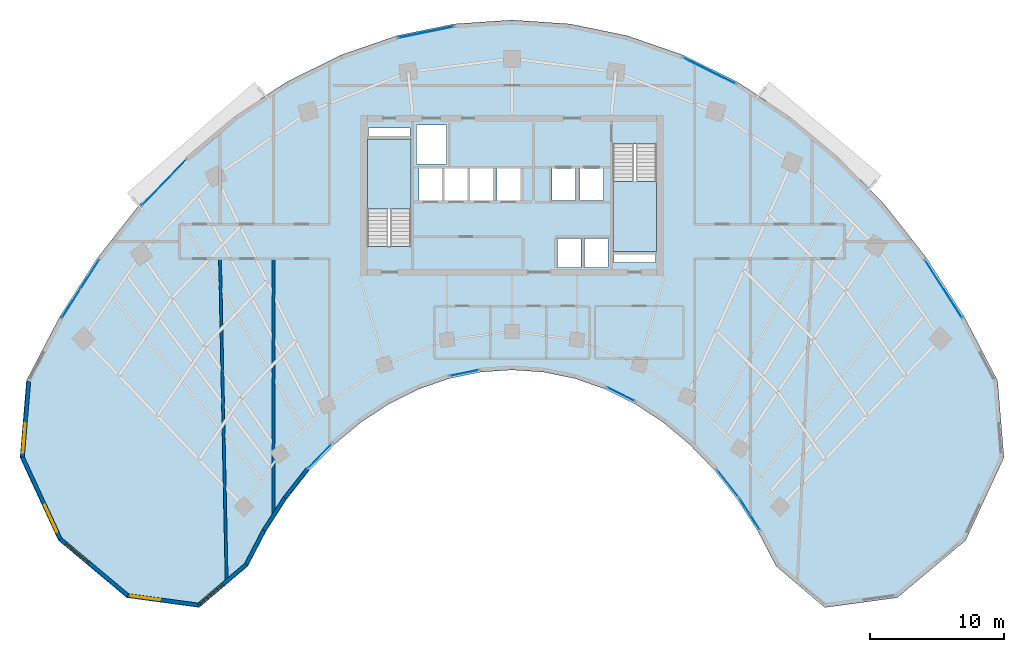
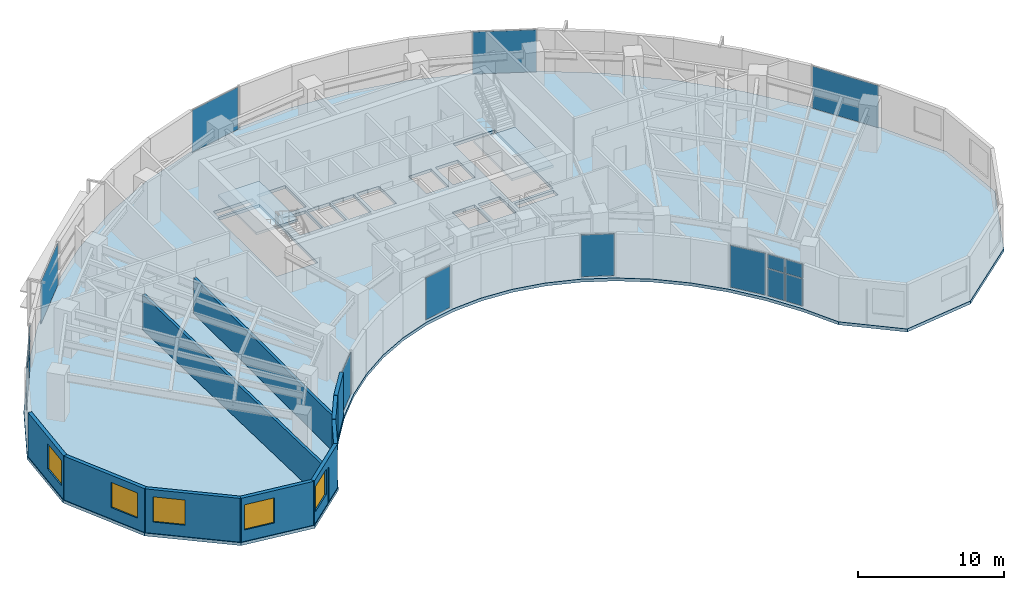
# One storey, part 7 of 14: 16 plates, 10 walls, 5 windows, 3 slabs, 5 openings, 12 elements without a shape of their own.
"""IFC4 building model written with IfcOpenShell, lengths in metres."""

from ifc_helpers import new_model, si_unit, direction, frame, frame_2d, origin, origin_2d, place, context, subcontext, project, spatial, polyline, rectangle, outline, extrude, source, transform, mapped, material, layer, layer_set, type_object, type_shapes, element, fill, aggregate, save


model = new_model("IFC4")

# Units and contexts
model_context = context("Model", 3, precision=1e-05, world=origin(), true_north=direction((0.0, 1.0)))
body_context = subcontext(model_context, "Body", "Model", "MODEL_VIEW")
ifc_project = project(units=[si_unit("LENGTHUNIT", "METRE"), si_unit("AREAUNIT", "SQUARE_METRE"), si_unit("VOLUMEUNIT", "CUBIC_METRE"), si_unit("PLANEANGLEUNIT", "RADIAN"), si_unit("MASSUNIT", "GRAM", prefix="KILO")], contexts=[model_context])

# Site, building, storey
site_placement = place(None, origin())
site = spatial("IfcSite", under=ifc_project, at=site_placement, CompositionType="ELEMENT")
building_placement = place(site_placement, origin())
building = spatial("IfcBuilding", under=site, at=building_placement, Name="Breltana Convention Tower", CompositionType="ELEMENT")
storey_placement = place(building_placement, frame((0.0, 0.0, 131.10009765625)))
storey = spatial("IfcBuildingStorey", under=building, at=storey_placement, Name="L31", CompositionType="ELEMENT", Elevation=131.10009765625)

# Slab
ifc_material_1 = material(Name="Concrete C40/50", Category="concrete")
ifc_layer_1 = layer(ifc_material_1, 0.25, Name="Concrete C40/50")
ifc_layer_set_1 = layer_set([ifc_layer_1], Name="Concrete C40/50")
slab_type_1 = type_object("IfcSlabType", Name="SL-OFF-250", PredefinedType="FLOOR", material=ifc_layer_set_1)
slab_1_placement = place(storey_placement, frame((0.0, 0.0, -0.25)))
element("IfcSlab", 1, at=slab_1_placement, inside=storey, type_object=slab_type_1, Name="L31 Suspended Structural Floor Slab", PredefinedType="FLOOR", context=body_context, shape_type="SweptSolid", body=[
    extrude(outline(polyline([(84.254150390625, 52.3564453125), (81.779052734375, 57.1103515625), (78.958251953125, 61.5048828125), (75.820556640625, 65.494873046875), (72.39794921875, 69.03955078125), (68.7255859375, 72.1025390625), (64.841064453125, 74.652587890625), (60.783935546875, 76.663818359375), (56.59619140625, 78.114990234375), (52.3203125, 78.99169921875), (48.0, 79.284912109375), (43.6796875, 78.99169921875), (39.40380859375, 78.114990234375), (35.216064453125, 76.663818359375), (31.158935546875, 74.652587890625), (27.2744140625, 72.1025390625), (23.60205078125, 69.03955078125), (20.179443359375, 65.494873046875), (17.041748046875, 61.5048828125), (14.220947265625, 57.1103515625), (11.745849609375, 52.3564453125), (11.266357421875, 46.619384765625), (14.128173828125, 40.42919921875), (19.23828125, 36.150146484375), (24.64501953125, 35.4169921875), (28.282958984375, 38.509521484375), (29.62890625, 41.09521484375), (31.1630859375, 43.485107421875), (32.869384765625, 45.655029296875), (34.73095703125, 47.5830078125), (36.728271484375, 49.248779296875), (38.8408203125, 50.6357421875), (41.04736328125, 51.7294921875), (43.324951171875, 52.518798828125), (45.650390625, 52.99560546875), (48.0, 53.155029296875), (50.349609375, 52.99560546875), (52.675048828125, 52.518798828125), (54.95263671875, 51.7294921875), (57.1591796875, 50.6357421875), (59.271728515625, 49.248779296875), (61.26904296875, 47.5830078125), (63.130615234375, 45.655029296875), (64.8369140625, 43.485107421875), (66.37109375, 41.09521484375), (67.717041015625, 38.509521484375), (71.35498046875, 35.4169921875), (76.76171875, 36.150146484375), (81.871826171875, 40.42919921875), (84.733642578125, 46.619384765625), (84.254150390625, 52.3564453125)]), holes=[polyline([(37.199951171875, 62.385009765625), (40.469970703125, 62.385009765625), (40.469970703125, 70.39990234375), (37.199951171875, 70.39990234375), (37.199951171875, 62.385009765625)]), polyline([(55.530029296875, 62.0), (58.800048828125, 62.0), (58.800048828125, 70.014892578125), (55.530029296875, 70.014892578125), (55.530029296875, 62.0)]), polyline([(51.39990234375, 60.800048828125), (53.159912109375, 60.800048828125), (53.159912109375, 62.97998046875), (51.39990234375, 62.97998046875), (51.39990234375, 60.800048828125)]), polyline([(53.39990234375, 60.800048828125), (55.159912109375, 60.800048828125), (55.159912109375, 62.97998046875), (53.39990234375, 62.97998046875), (53.39990234375, 60.800048828125)]), polyline([(41.0400390625, 65.820068359375), (42.800048828125, 65.820068359375), (42.800048828125, 68.179931640625), (41.0400390625, 68.179931640625), (41.0400390625, 65.820068359375)]), polyline([(42.93994140625, 65.820068359375), (44.699951171875, 65.820068359375), (44.699951171875, 68.179931640625), (42.93994140625, 68.179931640625), (42.93994140625, 65.820068359375)]), polyline([(44.8701171875, 65.820068359375), (46.6298828125, 65.820068359375), (46.6298828125, 68.179931640625), (44.8701171875, 68.179931640625), (44.8701171875, 65.820068359375)]), polyline([(46.8701171875, 65.820068359375), (48.6298828125, 65.820068359375), (48.6298828125, 68.179931640625), (46.8701171875, 68.179931640625), (46.8701171875, 65.820068359375)]), polyline([(50.969970703125, 65.800048828125), (52.72998046875, 65.800048828125), (52.72998046875, 68.179931640625), (50.969970703125, 68.179931640625), (50.969970703125, 65.800048828125)]), polyline([(53.070068359375, 65.800048828125), (54.830078125, 65.800048828125), (54.830078125, 68.179931640625), (53.070068359375, 68.179931640625), (53.070068359375, 65.800048828125)]), polyline([(40.8798828125, 68.550048828125), (43.1201171875, 68.550048828125), (43.1201171875, 71.449951171875), (40.8798828125, 71.449951171875), (40.8798828125, 68.550048828125)]), polyline([(37.300048828125, 70.60009765625), (40.3798828125, 70.60009765625), (40.3798828125, 71.219970703125), (37.300048828125, 71.219970703125), (37.300048828125, 70.60009765625)]), polyline([(55.6201171875, 61.179931640625), (58.699951171875, 61.179931640625), (58.699951171875, 61.800048828125), (55.6201171875, 61.800048828125), (55.6201171875, 61.179931640625)])]), origin(), (0.0, 0.0, 1.0), 0.25),
])

# Stair, slab
stair_type = type_object("IfcStairType", Name="ST-DOG-1560-R177", PredefinedType="HALF_TURN_STAIR", material=ifc_material_1)
stair_1_placement = place(storey_placement, origin())
stair_1 = element("IfcStair", 2, at=stair_1_placement, inside=storey, type_object=stair_type, Name="L31 Protected Core Exit Stair ST-1", PredefinedType="HALF_TURN_STAIR")
ifc_layer_2 = layer(ifc_material_1, 0.199951171875, Name="Concrete C40/50")
ifc_layer_set_2 = layer_set([ifc_layer_2], Name="Concrete C40/50")
slab_type_2 = type_object("IfcSlabType", Name="SL-STAIR-LANDING-200", PredefinedType="LANDING", material=ifc_layer_set_2)
slab_2_placement = place(storey_placement, frame((0.0, 0.0, 1.75)))
slab_2 = element("IfcSlab", 3, at=slab_2_placement, type_object=slab_type_2, Name="ST-1 landing 1", PredefinedType="LANDING", context=body_context, shape_type="SweptSolid", body=[
    extrude(outline(polyline([(40.469970703125, 65.159912109375), (40.469970703125, 70.39990234375), (37.199951171875, 70.39990234375), (37.199951171875, 65.159912109375), (40.469970703125, 65.159912109375)])), origin(), (0.0, 0.0, 1.0), 0.199951171875),
])
aggregate(stair_1, [slab_2])

stair_2_placement = place(storey_placement, origin())
stair_2 = element("IfcStair", 4, at=stair_2_placement, inside=storey, type_object=stair_type, Name="L31 Protected Core Exit Stair ST-2", PredefinedType="HALF_TURN_STAIR")
slab_3_placement = place(storey_placement, frame((0.0, 0.0, 1.75)))
slab_3 = element("IfcSlab", 5, at=slab_3_placement, type_object=slab_type_2, Name="ST-2 landing 1", PredefinedType="LANDING", context=body_context, shape_type="SweptSolid", body=[
    extrude(outline(polyline([(55.530029296875, 67.239990234375), (55.530029296875, 62.0), (58.800048828125, 62.0), (58.800048828125, 67.239990234375), (55.530029296875, 67.239990234375)])), origin(), (0.0, 0.0, 1.0), 0.199951171875),
])
aggregate(stair_2, [slab_3])

# Curtain wall, plates
ifc_material_2 = material(Name="Aluminium Anodised Bronze Frame", Category="aluminium")
ifc_layer_3 = layer(ifc_material_2, 0.18994140625, Name="Aluminium Anodised Bronze Frame")
ifc_layer_set_3 = layer_set([ifc_layer_3], Name="Aluminium Anodised Bronze Frame")
curtain_wall_type_1 = type_object("IfcCurtainWallType", Name="CW-SYS-1", PredefinedType="NOTDEFINED", material=ifc_layer_set_3)
curtain_wall_1_placement = place(storey_placement, origin())
curtain_wall_1 = element("IfcCurtainWall", 6, at=curtain_wall_1_placement, inside=storey, type_object=curtain_wall_type_1, Name="L31 inner south-court glazing 1", PredefinedType="NOTDEFINED")
ifc_material_3 = material(Name="Glass Low-E Double Glazing", Category="glass")
ifc_layer_4 = layer(ifc_material_3, 0.028076171875, Name="Glass Low-E Double Glazing")
ifc_layer_set_4 = layer_set([ifc_layer_4], Name="Glass Low-E Double Glazing")
plate_type_1 = type_object("IfcPlateType", Name="CWP-IGU-28", PredefinedType="CURTAIN_PANEL", material=ifc_layer_set_4)
shared_shape_1 = source(origin(), body_context, "Body", "SweptSolid", [
    extrude(rectangle(XDim=1.300048828125, YDim=0.028076171875, at=origin_2d()), origin(), (0.0, 0.0, 1.0), 2.25244140625),
])
plate_1_placement = place(storey_placement, frame((66.128173828125, 41.806640625, 0.079833984375), z_axis=(0.0, 0.0, 1.0), x_axis=(-0.5401773017, 0.841551235949, 0.0)))
plate_1 = element("IfcPlate", 7, at=plate_1_placement, type_object=plate_type_1, Name="CW-01 panel 1.1", PredefinedType="CURTAIN_PANEL", context=body_context, shape_type="MappedRepresentation", body=[
    mapped(shared_shape_1, transform((0.0, 0.0, 0.0), scale=1.0)),
])
plate_2_placement = place(storey_placement, frame((65.3828125, 42.968017578125, 0.079833984375), z_axis=(0.0, 0.0, 1.0), x_axis=(-0.5401773017, 0.841551235949, 0.0)))
plate_2 = element("IfcPlate", 8, at=plate_2_placement, type_object=plate_type_1, Name="CW-01 panel 2.1", PredefinedType="CURTAIN_PANEL", context=body_context, shape_type="MappedRepresentation", body=[
    mapped(shared_shape_1, transform((0.0, 0.0, 0.0), scale=1.0)),
])
shared_shape_2 = source(origin(), body_context, "Body", "SweptSolid", [
    extrude(rectangle(XDim=1.300048828125, YDim=0.028076171875, at=origin_2d()), origin(), (0.0, 0.0, 1.0), 1.157470703125),
])
plate_3_placement = place(storey_placement, frame((66.128173828125, 41.806640625, 2.41259765625), z_axis=(0.0, 0.0, 1.0), x_axis=(-0.5401773017, 0.841551235949, 0.0)))
plate_3 = element("IfcPlate", 9, at=plate_3_placement, type_object=plate_type_1, Name="CW-01 panel 1.2", PredefinedType="CURTAIN_PANEL", context=body_context, shape_type="MappedRepresentation", body=[
    mapped(shared_shape_2, transform((0.0, 0.0, 0.0), scale=1.0)),
])
plate_4_placement = place(storey_placement, frame((65.3828125, 42.968017578125, 2.41259765625), z_axis=(0.0, 0.0, 1.0), x_axis=(-0.5401773017, 0.841551235949, 0.0)))
plate_4 = element("IfcPlate", 10, at=plate_4_placement, type_object=plate_type_1, Name="CW-01 panel 2.2", PredefinedType="CURTAIN_PANEL", context=body_context, shape_type="MappedRepresentation", body=[
    mapped(shared_shape_2, transform((0.0, 0.0, 0.0), scale=1.0)),
])
aggregate(curtain_wall_1, [plate_1, plate_3, plate_2, plate_4])

# Curtain wall, plate
curtain_wall_2_placement = place(storey_placement, origin())
curtain_wall_2 = element("IfcCurtainWall", 11, at=curtain_wall_2_placement, inside=storey, type_object=curtain_wall_type_1, Name="L31 inner south-court glazing 2", PredefinedType="NOTDEFINED")
shared_shape_3 = source(origin(), body_context, "Body", "SweptSolid", [
    extrude(rectangle(XDim=2.6005859375, YDim=0.028076171875, at=origin_2d()), origin(), (0.0, 0.0, 1.0), 3.489990234375),
])
plate_5_placement = place(storey_placement, frame((64.125244140625, 44.681396484375, 0.080078125), z_axis=(0.0, 0.0, 1.0), x_axis=(-0.61815745037, 0.786054302547, 0.0)))
plate_5 = element("IfcPlate", 12, at=plate_5_placement, type_object=plate_type_1, Name="CW-01 panel 1.1", PredefinedType="CURTAIN_PANEL", context=body_context, shape_type="MappedRepresentation", body=[
    mapped(shared_shape_3, transform((0.0, 0.0, 0.0), scale=1.0)),
])
aggregate(curtain_wall_2, [plate_5])

# Curtain wall, plates
ifc_layer_5 = layer(ifc_material_2, 0.22998046875, Name="Aluminium Anodised Bronze Frame")
ifc_layer_set_5 = layer_set([ifc_layer_5], Name="Aluminium Anodised Bronze Frame")
curtain_wall_type_2 = type_object("IfcCurtainWallType", Name="CW-SYS-5", PredefinedType="NOTDEFINED", material=ifc_layer_set_5)
curtain_wall_3_placement = place(storey_placement, origin())
curtain_wall_3 = element("IfcCurtainWall", 13, at=curtain_wall_3_placement, inside=storey, type_object=curtain_wall_type_2, Name="L31 outer double-skin inner glazing 1", PredefinedType="NOTDEFINED")
ifc_layer_6 = layer(ifc_material_3, 0.035888671875, Name="Glass Low-E Double Glazing")
ifc_layer_set_6 = layer_set([ifc_layer_6], Name="Glass Low-E Double Glazing")
plate_type_2 = type_object("IfcPlateType", Name="CWP-IGU-36", PredefinedType="CURTAIN_PANEL", material=ifc_layer_set_6)
shared_shape_4 = source(origin(), body_context, "Body", "SweptSolid", [
    extrude(rectangle(XDim=2.49755859375, YDim=0.035888671875, at=origin_2d()), origin(), (0.0, 0.0, 1.0), 2.267578125),
])
plate_6_placement = place(storey_placement, frame((15.089111328125, 58.1298828125, 0.06982421875), z_axis=(0.0, 0.0, 1.0), x_axis=(0.540176809834, 0.84155155167, 0.0)))
plate_6 = element("IfcPlate", 14, at=plate_6_placement, type_object=plate_type_2, Name="CW-05 panel 1.1", PredefinedType="CURTAIN_PANEL", context=body_context, shape_type="MappedRepresentation", body=[
    mapped(shared_shape_4, transform((0.0, 0.0, 0.0), scale=1.0)),
])
plate_7_placement = place(storey_placement, frame((16.47607421875, 60.29052734375, 0.06982421875), z_axis=(0.0, 0.0, 1.0), x_axis=(0.540176809834, 0.84155155167, 0.0)))
plate_7 = element("IfcPlate", 15, at=plate_7_placement, type_object=plate_type_2, Name="CW-05 panel 2.1", PredefinedType="CURTAIN_PANEL", context=body_context, shape_type="MappedRepresentation", body=[
    mapped(shared_shape_4, transform((0.0, 0.0, 0.0), scale=1.0)),
])
shared_shape_5 = source(origin(), body_context, "Body", "SweptSolid", [
    extrude(rectangle(XDim=2.49755859375, YDim=0.035888671875, at=origin_2d()), origin(), (0.0, 0.0, 1.0), 1.172607421875),
])
plate_8_placement = place(storey_placement, frame((15.089111328125, 58.1298828125, 2.4072265625), z_axis=(0.0, 0.0, 1.0), x_axis=(0.540176809834, 0.84155155167, 0.0)))
plate_8 = element("IfcPlate", 16, at=plate_8_placement, type_object=plate_type_2, Name="CW-05 panel 1.2", PredefinedType="CURTAIN_PANEL", context=body_context, shape_type="MappedRepresentation", body=[
    mapped(shared_shape_5, transform((0.0, 0.0, 0.0), scale=1.0)),
])
plate_9_placement = place(storey_placement, frame((16.47607421875, 60.29052734375, 2.4072265625), z_axis=(0.0, 0.0, 1.0), x_axis=(0.540176809834, 0.84155155167, 0.0)))
plate_9 = element("IfcPlate", 17, at=plate_9_placement, type_object=plate_type_2, Name="CW-05 panel 2.2", PredefinedType="CURTAIN_PANEL", context=body_context, shape_type="MappedRepresentation", body=[
    mapped(shared_shape_5, transform((0.0, 0.0, 0.0), scale=1.0)),
])
aggregate(curtain_wall_3, [plate_6, plate_8, plate_7, plate_9])

# Curtain wall, plate
curtain_wall_4_placement = place(storey_placement, origin())
curtain_wall_4 = element("IfcCurtainWall", 18, at=curtain_wall_4_placement, inside=storey, type_object=curtain_wall_type_2, Name="L31 outer double-skin inner glazing 4", PredefinedType="NOTDEFINED")
shared_shape_6 = source(origin(), body_context, "Body", "SweptSolid", [
    extrude(rectangle(XDim=4.36572265625, YDim=0.035888671875, at=origin_2d()), origin(), (0.0, 0.0, 1.0), 3.510009765625),
])
plate_10_placement = place(storey_placement, frame((62.73291015625, 75.496826171875, 0.06982421875), z_axis=(0.0, 0.0, 1.0), x_axis=(0.895966548937, -0.444121541007, 0.0)))
plate_10 = element("IfcPlate", 19, at=plate_10_placement, type_object=plate_type_2, Name="CW-05 panel 1.1", PredefinedType="CURTAIN_PANEL", context=body_context, shape_type="MappedRepresentation", body=[
    mapped(shared_shape_6, transform((0.0, 0.0, 0.0), scale=1.0)),
])
aggregate(curtain_wall_4, [plate_10])

curtain_wall_5_placement = place(storey_placement, origin())
curtain_wall_5 = element("IfcCurtainWall", 20, at=curtain_wall_5_placement, inside=storey, type_object=curtain_wall_type_2, Name="L31 outer double-skin inner glazing 3", PredefinedType="NOTDEFINED")
shared_shape_7 = source(origin(), body_context, "Body", "SweptSolid", [
    extrude(rectangle(XDim=4.200927734375, YDim=0.035888671875, at=origin_2d()), origin(), (0.0, 0.0, 1.0), 3.510009765625),
])
plate_11_placement = place(storey_placement, frame((41.577880859375, 78.376953125, 0.06982421875), z_axis=(0.0, 0.0, 1.0), x_axis=(0.979620254346, 0.200858550415, 0.0)))
plate_11 = element("IfcPlate", 21, at=plate_11_placement, type_object=plate_type_2, Name="CW-05 panel 1.1", PredefinedType="CURTAIN_PANEL", context=body_context, shape_type="MappedRepresentation", body=[
    mapped(shared_shape_7, transform((0.0, 0.0, 0.0), scale=1.0)),
])
aggregate(curtain_wall_5, [plate_11])

curtain_wall_6_placement = place(storey_placement, origin())
curtain_wall_6 = element("IfcCurtainWall", 22, at=curtain_wall_6_placement, inside=storey, type_object=curtain_wall_type_2, Name="L31 outer double-skin inner glazing 2", PredefinedType="NOTDEFINED")
shared_shape_8 = source(origin(), body_context, "Body", "SweptSolid", [
    extrude(rectangle(XDim=4.7685546875, YDim=0.035888671875, at=origin_2d()), origin(), (0.0, 0.0, 1.0), 3.510009765625),
])
plate_12_placement = place(storey_placement, frame((22.02001953125, 67.141845703125, 0.06982421875), z_axis=(0.0, 0.0, 1.0), x_axis=(0.694611601605, 0.719384961558, 0.0)))
plate_12 = element("IfcPlate", 23, at=plate_12_placement, type_object=plate_type_2, Name="CW-05 panel 1.1", PredefinedType="CURTAIN_PANEL", context=body_context, shape_type="MappedRepresentation", body=[
    mapped(shared_shape_8, transform((0.0, 0.0, 0.0), scale=1.0)),
])
aggregate(curtain_wall_6, [plate_12])

curtain_wall_7_placement = place(storey_placement, origin())
curtain_wall_7 = element("IfcCurtainWall", 24, at=curtain_wall_7_placement, inside=storey, type_object=curtain_wall_type_1, Name="L31 inner south-court glazing 3", PredefinedType="NOTDEFINED")
shared_shape_9 = source(origin(), body_context, "Body", "SweptSolid", [
    extrude(rectangle(XDim=2.302490234375, YDim=0.028076171875, at=origin_2d()), origin(), (0.0, 0.0, 1.0), 3.489990234375),
])
plate_13_placement = place(storey_placement, frame((56.1357421875, 51.34375, 0.080078125), z_axis=(0.0, 0.0, 1.0), x_axis=(-0.895964953495, 0.444124759622, 0.0)))
plate_13 = element("IfcPlate", 25, at=plate_13_placement, type_object=plate_type_1, Name="CW-01 panel 1.1", PredefinedType="CURTAIN_PANEL", context=body_context, shape_type="MappedRepresentation", body=[
    mapped(shared_shape_9, transform((0.0, 0.0, 0.0), scale=1.0)),
])
aggregate(curtain_wall_7, [plate_13])

curtain_wall_8_placement = place(storey_placement, origin())
curtain_wall_8 = element("IfcCurtainWall", 26, at=curtain_wall_8_placement, inside=storey, type_object=curtain_wall_type_1, Name="L31 inner south-court glazing 4", PredefinedType="NOTDEFINED")
shared_shape_10 = source(origin(), body_context, "Body", "SweptSolid", [
    extrude(rectangle(XDim=2.2138671875, YDim=0.028076171875, at=origin_2d()), origin(), (0.0, 0.0, 1.0), 3.489990234375),
])
plate_14_placement = place(storey_placement, frame((44.451416015625, 52.933349609375, 0.080078125), z_axis=(0.0, 0.0, 1.0), x_axis=(-0.979621406891, -0.200852929183, 0.0)))
plate_14 = element("IfcPlate", 27, at=plate_14_placement, type_object=plate_type_1, Name="CW-01 panel 1.1", PredefinedType="CURTAIN_PANEL", context=body_context, shape_type="MappedRepresentation", body=[
    mapped(shared_shape_10, transform((0.0, 0.0, 0.0), scale=1.0)),
])
aggregate(curtain_wall_8, [plate_14])

curtain_wall_9_placement = place(storey_placement, origin())
curtain_wall_9 = element("IfcCurtainWall", 28, at=curtain_wall_9_placement, inside=storey, type_object=curtain_wall_type_1, Name="L31 inner south-court glazing 5", PredefinedType="NOTDEFINED")
shared_shape_11 = source(origin(), body_context, "Body", "SweptSolid", [
    extrude(rectangle(XDim=2.519775390625, YDim=0.028076171875, at=origin_2d()), origin(), (0.0, 0.0, 1.0), 3.489990234375),
])
plate_15_placement = place(storey_placement, frame((33.670654296875, 46.743896484375, 0.080078125), z_axis=(0.0, 0.0, 1.0), x_axis=(-0.694609164589, -0.719387314642, 0.0)))
plate_15 = element("IfcPlate", 29, at=plate_15_placement, type_object=plate_type_1, Name="CW-01 panel 1.1", PredefinedType="CURTAIN_PANEL", context=body_context, shape_type="MappedRepresentation", body=[
    mapped(shared_shape_11, transform((0.0, 0.0, 0.0), scale=1.0)),
])
aggregate(curtain_wall_9, [plate_15])

curtain_wall_10_placement = place(storey_placement, origin())
curtain_wall_10 = element("IfcCurtainWall", 30, at=curtain_wall_10_placement, inside=storey, type_object=curtain_wall_type_2, Name="L31 outer double-skin inner glazing 5", PredefinedType="NOTDEFINED")
shared_shape_12 = source(origin(), body_context, "Body", "SweptSolid", [
    extrude(rectangle(XDim=5.065185546875, YDim=0.035888671875, at=origin_2d()), origin(), (0.0, 0.0, 1.0), 3.510009765625),
])
plate_16_placement = place(storey_placement, frame((80.21728515625, 59.210205078125, 0.06982421875), z_axis=(0.0, 0.0, 1.0), x_axis=(0.540176809834, -0.84155155167, 0.0)))
plate_16 = element("IfcPlate", 31, at=plate_16_placement, type_object=plate_type_2, Name="CW-05 panel 1.1", PredefinedType="CURTAIN_PANEL", context=body_context, shape_type="MappedRepresentation", body=[
    mapped(shared_shape_12, transform((0.0, 0.0, 0.0), scale=1.0)),
])
aggregate(curtain_wall_10, [plate_16])

# Wall, opening, window
ifc_material_4 = material(Name="Limestone Buff Insulated Wall", Category="masonry")
ifc_layer_7 = layer(ifc_material_4, 0.280029296875, Name="Limestone Buff Insulated Wall")
ifc_layer_set_7 = layer_set([ifc_layer_7], Name="Limestone Buff Insulated Wall")
wall_type_1 = type_object("IfcWallType", Name="WL-EXT-NOSE-280", PredefinedType="SOLIDWALL", material=ifc_layer_set_7)
shared_shape_13 = source(origin(), body_context, "Body", "SweptSolid", [
    extrude(rectangle(XDim=5.673583984375, YDim=0.280029296875, at=frame_2d((2.8369140625, 0.0))), origin(), (0.0, 0.0, 1.0), 3.64990234375),
])
wall_1_placement = place(storey_placement, frame((11.44970703125, 46.651611328125, 0.0), z_axis=(0.0, 0.0, 1.0), x_axis=(0.083309007867, 0.996523762491, 0.0)))
wall_1 = element("IfcWall", 32, at=wall_1_placement, inside=storey, type_object=wall_type_1, Name="L31 curved limestone nose wall W6", PredefinedType="SOLIDWALL", context=body_context, shape_type="MappedRepresentation", body=[
    mapped(shared_shape_13, transform((0.0, 0.0, 0.0), scale=1.0)),
])
opening_1_placement = place(wall_1_placement, frame((0.318359375, 0.0, 0.949951171875)))
opening_1 = element("IfcOpeningElement", 33, at=opening_1_placement, cuts=wall_1, Name="Opening W-03", PredefinedType="OPENING", context=body_context, shape_type="SweptSolid", body=[
    extrude(rectangle(XDim=2.199951171875, YDim=2.10009765625, at=frame_2d((1.10009765625, 1.050048828125))), frame((0.0, 0.14990234375, 0.0), z_axis=(0.0, -1.0, 0.0), x_axis=(1.0, 0.0, 0.0)), (0.0, 0.0, 1.0), 0.300048828125),
])
ifc_material_5 = material(Name="Glass Low-E Insulated Window", Category="glass")
window_type = type_object("IfcWindowType", Name="WN-NOSE-2200X2100", PartitioningType="TRIPLE_PANEL_VERTICAL", PredefinedType="WINDOW", material=ifc_material_5)
shared_shape_14 = source(origin(), body_context, "Body", "SweptSolid", [
    extrude(rectangle(XDim=2.199951171875, YDim=2.10009765625, at=frame_2d((1.10009765625, 1.050048828125))), frame((0.0, 0.030029296875, 0.0), z_axis=(0.0, -1.0, 0.0), x_axis=(1.0, 0.0, 0.0)), (0.0, 0.0, 1.0), 0.06005859375),
])
type_shapes(window_type, [shared_shape_14])
window_1_placement = place(opening_1_placement, origin())
window_1 = element("IfcWindow", 34, at=window_1_placement, inside=storey, type_object=window_type, Name="L31 nose window W6", OverallHeight=2.10009765625, OverallWidth=2.199951171875, PartitioningType="TRIPLE_PANEL_VERTICAL", PredefinedType="WINDOW", context=body_context, shape_type="MappedRepresentation", body=[
    mapped(shared_shape_14, transform((0.0, 0.0, 0.0), scale=1.0)),
])
fill(opening_1, window_1)

shared_shape_15 = source(origin(), body_context, "Body", "SweptSolid", [
    extrude(rectangle(XDim=6.731689453125, YDim=0.280029296875, at=frame_2d((3.36572265625, 0.0))), origin(), (0.0, 0.0, 1.0), 3.64990234375),
])
wall_2_placement = place(storey_placement, frame((14.274658203125, 40.541259765625, 0.0), z_axis=(0.0, 0.0, 1.0), x_axis=(-0.419644552709, 0.907688520023, 0.0)))
wall_2 = element("IfcWall", 35, at=wall_2_placement, inside=storey, type_object=wall_type_1, Name="L31 curved limestone nose wall W5", PredefinedType="SOLIDWALL", context=body_context, shape_type="MappedRepresentation", body=[
    mapped(shared_shape_15, transform((0.0, 0.0, 0.0), scale=1.0)),
])
opening_2_placement = place(wall_2_placement, frame((0.5830078125, 0.0, 0.949951171875)))
opening_2 = element("IfcOpeningElement", 36, at=opening_2_placement, cuts=wall_2, Name="Opening W-03", PredefinedType="OPENING", context=body_context, shape_type="SweptSolid", body=[
    extrude(rectangle(XDim=2.199951171875, YDim=2.10009765625, at=frame_2d((1.10009765625, 1.050048828125))), frame((0.0, 0.14990234375, 0.0), z_axis=(0.0, -1.0, 0.0), x_axis=(1.0, 0.0, 0.0)), (0.0, 0.0, 1.0), 0.300048828125),
])
window_2_placement = place(opening_2_placement, origin())
window_2 = element("IfcWindow", 37, at=window_2_placement, inside=storey, type_object=window_type, Name="L31 nose window W5", OverallHeight=2.10009765625, OverallWidth=2.199951171875, PartitioningType="TRIPLE_PANEL_VERTICAL", PredefinedType="WINDOW", context=body_context, shape_type="MappedRepresentation", body=[
    mapped(shared_shape_14, transform((0.0, 0.0, 0.0), scale=1.0)),
])
fill(opening_2, window_2)

shared_shape_16 = source(origin(), body_context, "Body", "SweptSolid", [
    extrude(rectangle(XDim=6.572998046875, YDim=0.280029296875, at=frame_2d((3.28662109375, 0.0))), origin(), (0.0, 0.0, 1.0), 3.64990234375),
])
wall_3_placement = place(storey_placement, frame((19.314208984375, 36.321533203125, 0.0), z_axis=(0.0, 0.0, 1.0), x_axis=(-0.766715154163, 0.641987439423, 0.0)))
wall_3 = element("IfcWall", 38, at=wall_3_placement, inside=storey, type_object=wall_type_1, Name="L31 curved limestone nose wall W4", PredefinedType="SOLIDWALL", context=body_context, shape_type="MappedRepresentation", body=[
    mapped(shared_shape_16, transform((0.0, 0.0, 0.0), scale=1.0)),
])
opening_3_placement = place(wall_3_placement, frame((3.82958984375, 0.0, 0.949951171875)))
opening_3 = element("IfcOpeningElement", 39, at=opening_3_placement, cuts=wall_3, Name="Opening W-03", PredefinedType="OPENING", context=body_context, shape_type="SweptSolid", body=[
    extrude(rectangle(XDim=2.199951171875, YDim=2.10009765625, at=frame_2d((1.10009765625, 1.050048828125))), frame((0.0, 0.14990234375, 0.0), z_axis=(0.0, -1.0, 0.0), x_axis=(1.0, 0.0, 0.0)), (0.0, 0.0, 1.0), 0.300048828125),
])
window_3_placement = place(opening_3_placement, origin())
window_3 = element("IfcWindow", 40, at=window_3_placement, inside=storey, type_object=window_type, Name="L31 nose window W4", OverallHeight=2.10009765625, OverallWidth=2.199951171875, PartitioningType="TRIPLE_PANEL_VERTICAL", PredefinedType="WINDOW", context=body_context, shape_type="MappedRepresentation", body=[
    mapped(shared_shape_14, transform((0.0, 0.0, 0.0), scale=1.0)),
])
fill(opening_3, window_3)

shared_shape_17 = source(origin(), body_context, "Body", "SweptSolid", [
    extrude(rectangle(XDim=5.32373046875, YDim=0.280029296875, at=frame_2d((2.661865234375, 0.0))), origin(), (0.0, 0.0, 1.0), 3.64990234375),
])
wall_4_placement = place(storey_placement, frame((24.589599609375, 35.606201171875, 0.0), z_axis=(0.0, 0.0, 1.0), x_axis=(-0.990931467223, 0.134368252451, 0.0)))
wall_4 = element("IfcWall", 41, at=wall_4_placement, inside=storey, type_object=wall_type_1, Name="L31 curved limestone nose wall W3", PredefinedType="SOLIDWALL", context=body_context, shape_type="MappedRepresentation", body=[
    mapped(shared_shape_17, transform((0.0, 0.0, 0.0), scale=1.0)),
])
opening_4_placement = place(wall_4_placement, frame((2.892822265625, 0.0, 0.949951171875)))
opening_4 = element("IfcOpeningElement", 42, at=opening_4_placement, cuts=wall_4, Name="Opening W-03", PredefinedType="OPENING", context=body_context, shape_type="SweptSolid", body=[
    extrude(rectangle(XDim=2.199951171875, YDim=2.10009765625, at=frame_2d((1.10009765625, 1.050048828125))), frame((0.0, 0.14990234375, 0.0), z_axis=(0.0, -1.0, 0.0), x_axis=(1.0, 0.0, 0.0)), (0.0, 0.0, 1.0), 0.300048828125),
])
window_4_placement = place(opening_4_placement, origin())
window_4 = element("IfcWindow", 43, at=window_4_placement, inside=storey, type_object=window_type, Name="L31 nose window W3", OverallHeight=2.10009765625, OverallWidth=2.199951171875, PartitioningType="TRIPLE_PANEL_VERTICAL", PredefinedType="WINDOW", context=body_context, shape_type="MappedRepresentation", body=[
    mapped(shared_shape_14, transform((0.0, 0.0, 0.0), scale=1.0)),
])
fill(opening_4, window_4)

shared_shape_18 = source(origin(), body_context, "Body", "SweptSolid", [
    extrude(rectangle(XDim=4.6591796875, YDim=0.280029296875, at=frame_2d((2.32958984375, 0.0))), origin(), (0.0, 0.0, 1.0), 3.64990234375),
])
wall_5_placement = place(storey_placement, frame((28.139404296875, 38.623779296875, 0.0), z_axis=(0.0, 0.0, 1.0), x_axis=(-0.761913458795, -0.647678841176, 0.0)))
wall_5 = element("IfcWall", 44, at=wall_5_placement, inside=storey, type_object=wall_type_1, Name="L31 curved limestone nose wall W2", PredefinedType="SOLIDWALL", context=body_context, shape_type="MappedRepresentation", body=[
    mapped(shared_shape_18, transform((0.0, 0.0, 0.0), scale=1.0)),
])
opening_5_placement = place(wall_5_placement, frame((2.29931640625, 0.0, 0.949951171875)))
opening_5 = element("IfcOpeningElement", 45, at=opening_5_placement, cuts=wall_5, Name="Opening W-03", PredefinedType="OPENING", context=body_context, shape_type="SweptSolid", body=[
    extrude(rectangle(XDim=2.199951171875, YDim=2.10009765625, at=frame_2d((1.10009765625, 1.050048828125))), frame((0.0, 0.14990234375, 0.0), z_axis=(0.0, -1.0, 0.0), x_axis=(1.0, 0.0, 0.0)), (0.0, 0.0, 1.0), 0.300048828125),
])
window_5_placement = place(opening_5_placement, origin())
window_5 = element("IfcWindow", 46, at=window_5_placement, inside=storey, type_object=window_type, Name="L31 nose window W2", OverallHeight=2.10009765625, OverallWidth=2.199951171875, PartitioningType="TRIPLE_PANEL_VERTICAL", PredefinedType="WINDOW", context=body_context, shape_type="MappedRepresentation", body=[
    mapped(shared_shape_14, transform((0.0, 0.0, 0.0), scale=1.0)),
])
fill(opening_5, window_5)

# Walls
shared_shape_19 = source(origin(), body_context, "Body", "SweptSolid", [
    extrude(rectangle(XDim=2.8798828125, YDim=0.280029296875, at=frame_2d((1.43994140625, 0.0))), origin(), (0.0, 0.0, 1.0), 3.64990234375),
])
wall_6_placement = place(storey_placement, frame((29.46923828125, 41.17822265625, 0.0), z_axis=(0.0, 0.0, 1.0), x_axis=(-0.461769086658, -0.887000175088, 0.0)))
element("IfcWall", 47, at=wall_6_placement, inside=storey, type_object=wall_type_1, Name="L31 curved limestone nose wall W1", PredefinedType="SOLIDWALL", context=body_context, shape_type="MappedRepresentation", body=[
    mapped(shared_shape_19, transform((0.0, 0.0, 0.0), scale=1.0)),
])
shared_shape_20 = source(origin(), body_context, "Body", "SweptSolid", [
    extrude(rectangle(XDim=2.760498046875, YDim=0.280029296875, at=frame_2d((1.38037109375, 0.0))), origin(), (0.0, 0.0, 1.0), 3.64990234375),
])
wall_7_placement = place(storey_placement, frame((32.72802734375, 45.766357421875, 0.0), z_axis=(0.0, 0.0, 1.0), x_axis=(-0.618180818641, -0.786035925047, 0.0)))
element("IfcWall", 48, at=wall_7_placement, inside=storey, type_object=wall_type_1, Name="L31 curved limestone nose wall E18", PredefinedType="SOLIDWALL", context=body_context, shape_type="MappedRepresentation", body=[
    mapped(shared_shape_20, transform((0.0, 0.0, 0.0), scale=1.0)),
])
shared_shape_21 = source(origin(), body_context, "Body", "SweptSolid", [
    extrude(rectangle(XDim=2.83984375, YDim=0.280029296875, at=frame_2d((1.419921875, 0.0))), origin(), (0.0, 0.0, 1.0), 3.64990234375),
])
wall_8_placement = place(storey_placement, frame((31.011474609375, 43.582275390625, 0.0), z_axis=(0.0, 0.0, 1.0), x_axis=(-0.540214368057, -0.841527442538, 0.0)))
element("IfcWall", 49, at=wall_8_placement, inside=storey, type_object=wall_type_1, Name="L31 curved limestone nose wall E19", PredefinedType="SOLIDWALL", context=body_context, shape_type="MappedRepresentation", body=[
    mapped(shared_shape_21, transform((0.0, 0.0, 0.0), scale=1.0)),
])
ifc_material_6 = material(Name="Autoclaved Aerated Masonry Blockwork", Category="masonry")
ifc_layer_8 = layer(ifc_material_6, 0.2099609375, Name="Autoclaved Aerated Masonry Blockwork")
ifc_layer_set_8 = layer_set([ifc_layer_8], Name="Autoclaved Aerated Masonry Blockwork")
wall_type_2 = type_object("IfcWallType", Name="WL-PART-200", PredefinedType="PARTITIONING", material=ifc_layer_set_8)
shared_shape_22 = source(origin(), body_context, "Body", "SweptSolid", [
    extrude(rectangle(XDim=24.2041015625, YDim=0.2099609375, at=frame_2d((12.10205078125, 0.0))), origin(), (0.0, 0.0, 1.0), 2.94189453125),
])
wall_9_placement = place(storey_placement, frame((26.69775390625, 37.240966796875, 0.0), z_axis=(0.0, 0.0, 1.0), x_axis=(-0.020566881318, 0.999788479326, 0.0)))
element("IfcWall", 50, at=wall_9_placement, inside=storey, type_object=wall_type_2, Name="L31 interior partition W-L31-ZWS1-E", PredefinedType="PARTITIONING", context=body_context, shape_type="MappedRepresentation", body=[
    mapped(shared_shape_22, transform((0.0, 0.0, 0.0), scale=1.0)),
])
shared_shape_23 = source(origin(), body_context, "Body", "SweptSolid", [
    extrude(rectangle(XDim=19.103271484375, YDim=0.2099609375, at=frame_2d((9.5517578125, 0.0))), origin(), (0.0, 0.0, 1.0), 2.94189453125),
])
wall_10_placement = place(storey_placement, frame((30.199951171875, 42.336669921875, 0.0), z_axis=(0.0, 0.0, 1.0), x_axis=(0.0, 1.0, 0.0)))
element("IfcWall", 51, at=wall_10_placement, inside=storey, type_object=wall_type_2, Name="L31 interior partition W-L31-ZWS2-E", PredefinedType="PARTITIONING", context=body_context, shape_type="MappedRepresentation", body=[
    mapped(shared_shape_23, transform((0.0, 0.0, 0.0), scale=1.0)),
])

save(model, "model.ifc")
